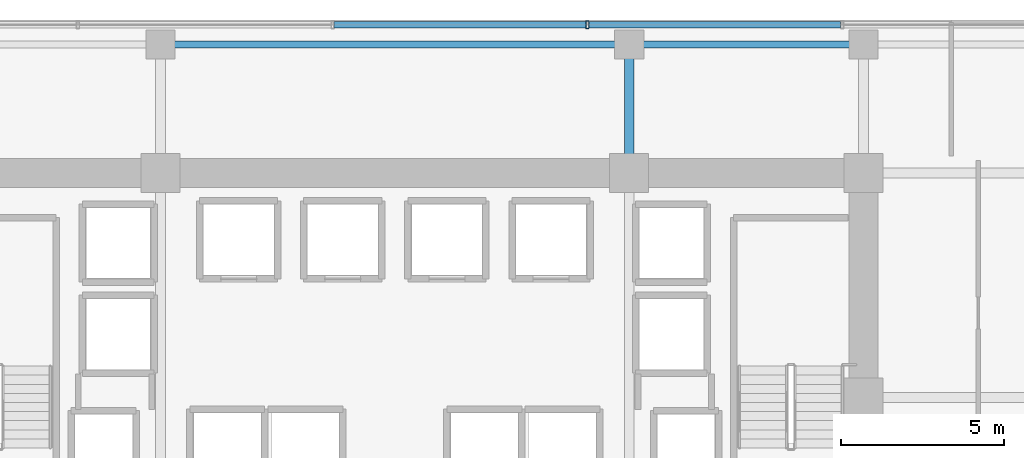
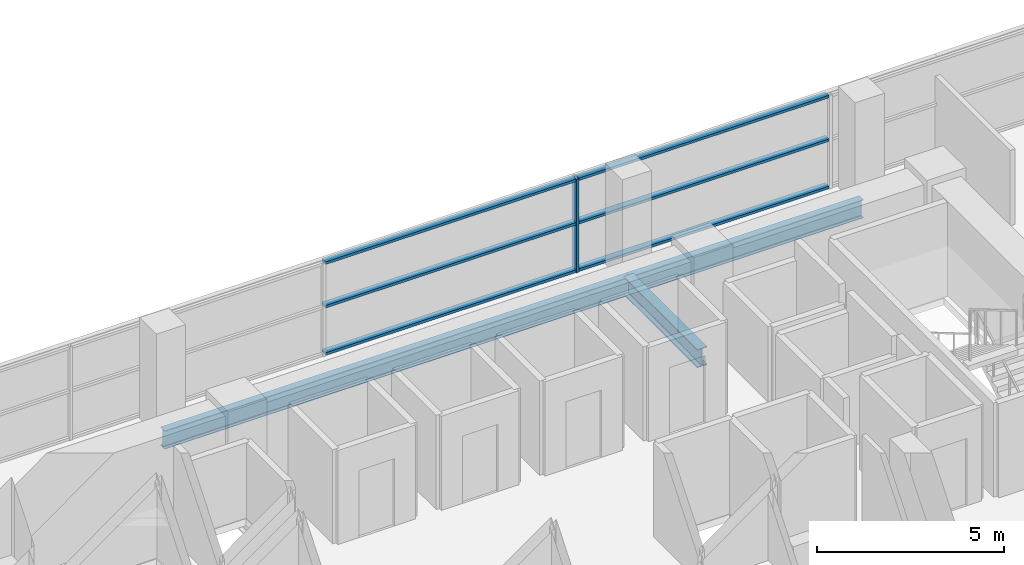
# One storey, part 15 of 26: 7 members, 3 beams, 1 element without a shape of its own.
"""IFC4 building model written with IfcOpenShell, lengths in metres."""

from ifc_helpers import new_model, si_unit, direction, frame, origin, origin_2d, place, context, subcontext, project, spatial, hollow_rectangle, i_section, extrude, source, transform, mapped, material, layer, layer_set, material_profile, profile_set, type_object, element, aggregate, save


model = new_model("IFC4")

# Units and contexts
model_context = context("Model", 3, precision=1e-05, world=origin(), true_north=direction((0.0, 1.0)))
body_context = subcontext(model_context, "Body", "Model", "MODEL_VIEW")
ifc_project = project(units=[si_unit("LENGTHUNIT", "METRE"), si_unit("AREAUNIT", "SQUARE_METRE"), si_unit("VOLUMEUNIT", "CUBIC_METRE"), si_unit("PLANEANGLEUNIT", "RADIAN"), si_unit("MASSUNIT", "GRAM", prefix="KILO")], contexts=[model_context])

# Site, building, storey
site_placement = place(None, origin())
site = spatial("IfcSite", under=ifc_project, at=site_placement, CompositionType="ELEMENT")
building_placement = place(site_placement, origin())
building = spatial("IfcBuilding", under=site, at=building_placement, Name="Zarnakvel Exchange Tower", CompositionType="ELEMENT")
storey_placement = place(building_placement, frame((0.0, 0.0, 63.699951171875)))
storey = spatial("IfcBuildingStorey", under=building, at=storey_placement, Name="L17", CompositionType="ELEMENT", Elevation=63.699951171875)

# Beams
ifc_material_1 = material(Name="Steel S355", Category="steel")
ifc_material_profile_1 = material_profile(ifc_material_1, i_section(OverallWidth=0.300048828125, OverallDepth=0.60009765625, WebThickness=0.015380859375, FlangeThickness=0.030029296875, FilletRadius=0.027099609375, at=origin_2d()))
ifc_profile_set_1 = profile_set([ifc_material_profile_1], Name="Steel S355")
beam_type_1 = type_object("IfcBeamType", Name="G-04", PredefinedType="BEAM", material=ifc_profile_set_1)
beam_1_placement = place(storey_placement, frame((7.199951171875, 13.5, -0.52490234375), z_axis=(0.0, 1.0, 0.0), x_axis=(-1.0, 0.0, 0.0)))
element("IfcBeam", 1, at=beam_1_placement, inside=storey, type_object=beam_type_1, Name="L17 Tower N-S Frame Beam", PredefinedType="BEAM", context=body_context, shape_type="SweptSolid", body=[
    extrude(i_section(OverallWidth=0.300048828125, OverallDepth=0.60009765625, WebThickness=0.015380859375, FlangeThickness=0.030029296875, FilletRadius=0.027099609375, at=origin_2d()), origin(), (0.0, 0.0, 1.0), 3.949951171875),
])
ifc_material_profile_2 = material_profile(ifc_material_1, i_section(OverallWidth=0.219970703125, OverallDepth=0.60009765625, WebThickness=0.011962890625, FlangeThickness=0.01904296875, FilletRadius=0.02392578125, at=origin_2d()))
ifc_profile_set_2 = profile_set([ifc_material_profile_2], Name="Steel S355")
beam_type_2 = type_object("IfcBeamType", Name="SP-01", PredefinedType="SPANDREL", material=ifc_profile_set_2)
beam_2_placement = place(storey_placement, frame((-7.199951171875, 17.449951171875, -0.52490234375), z_axis=(1.0, 0.0, 0.0), x_axis=(0.0, 1.0, 0.0)))
element("IfcBeam", 2, at=beam_2_placement, inside=storey, type_object=beam_type_2, Name="L17 Tower E-W Frame Beam", PredefinedType="SPANDREL", context=body_context, shape_type="SweptSolid", body=[
    extrude(i_section(OverallWidth=0.219970703125, OverallDepth=0.60009765625, WebThickness=0.011962890625, FlangeThickness=0.01904296875, FilletRadius=0.02392578125, at=origin_2d()), origin(), (0.0, 0.0, 1.0), 14.39990234375),
])
beam_3_placement = place(storey_placement, frame((7.199951171875, 17.449951171875, -0.52490234375), z_axis=(1.0, 0.0, 0.0), x_axis=(0.0, 1.0, 0.0)))
element("IfcBeam", 3, at=beam_3_placement, inside=storey, type_object=beam_type_2, Name="L17 Tower E-W Frame Beam", PredefinedType="SPANDREL", context=body_context, shape_type="SweptSolid", body=[
    extrude(i_section(OverallWidth=0.219970703125, OverallDepth=0.60009765625, WebThickness=0.011962890625, FlangeThickness=0.01904296875, FilletRadius=0.02392578125, at=origin_2d()), origin(), (0.0, 0.0, 1.0), 7.199951171875),
])

# Curtain wall, members
ifc_material_2 = material(Name="Architectural Bronze Anodised Aluminium", Category="aluminium")
ifc_layer = layer(ifc_material_2, 0.239990234375)
ifc_layer_set = layer_set([ifc_layer], Name="Architectural Bronze Anodised Aluminium")
curtain_wall_type = type_object("IfcCurtainWallType", Name="CW-02", PredefinedType="NOTDEFINED", material=ifc_layer_set)
curtain_wall_placement = place(storey_placement, origin())
curtain_wall = element("IfcCurtainWall", 4, at=curtain_wall_placement, inside=storey, type_object=curtain_wall_type, Name="L17 Curtain Wall CW-L17-N1 (CW-02)", PredefinedType="NOTDEFINED")
ifc_material_profile_3 = material_profile(ifc_material_2, hollow_rectangle(XDim=0.199951171875, YDim=0.0849609375, WallThickness=0.0048828125, at=origin_2d()))
ifc_profile_set_3 = profile_set([ifc_material_profile_3], Name="Architectural Bronze Anodised Aluminium")
member_type_1 = type_object("IfcMemberType", Name="CWT-02", PredefinedType="USERDEFINED", material=ifc_profile_set_3)
shared_shape_1 = source(origin(), body_context, "Body", "SweptSolid", [
    extrude(hollow_rectangle(XDim=0.199951171875, YDim=0.0849609375, WallThickness=0.0048828125, at=origin_2d()), origin(), (0.0, 0.0, 1.0), 7.738525390625),
])
member_1_placement = place(storey_placement, frame((5.959228515625, 18.06005859375, 0.04248046875), z_axis=(1.0, 0.0, 0.0), x_axis=(0.0, 1.0, 0.0)))
member_1 = element("IfcMember", 5, at=member_1_placement, type_object=member_type_1, Name="CW-02 transom 5.1", ObjectType="TRANSOM", PredefinedType="USERDEFINED", context=body_context, shape_type="MappedRepresentation", body=[
    mapped(shared_shape_1, transform((0.0, 0.0, 0.0), x_axis=(1.0, 0.0, 0.0), y_axis=(0.0, 1.0, 0.0), z_axis=(0.0, 0.0, 1.0), scale=1.0)),
])
member_2_placement = place(storey_placement, frame((5.959228515625, 18.06005859375, 1.588623046875), z_axis=(1.0, 0.0, 0.0), x_axis=(0.0, 1.0, 0.0)))
member_2 = element("IfcMember", 6, at=member_2_placement, type_object=member_type_1, Name="CW-02 transom 5.2", ObjectType="TRANSOM", PredefinedType="USERDEFINED", context=body_context, shape_type="MappedRepresentation", body=[
    mapped(shared_shape_1, transform((0.0, 0.0, 0.0), x_axis=(1.0, 0.0, 0.0), y_axis=(0.0, 1.0, 0.0), z_axis=(0.0, 0.0, 1.0), scale=1.0)),
])
member_3_placement = place(storey_placement, frame((5.959228515625, 18.06005859375, 3.012451171875), z_axis=(1.0, 0.0, 0.0), x_axis=(0.0, 1.0, 0.0)))
member_3 = element("IfcMember", 7, at=member_3_placement, type_object=member_type_1, Name="CW-02 transom 5.3", ObjectType="TRANSOM", PredefinedType="USERDEFINED", context=body_context, shape_type="MappedRepresentation", body=[
    mapped(shared_shape_1, transform((0.0, 0.0, 0.0), x_axis=(1.0, 0.0, 0.0), y_axis=(0.0, 1.0, 0.0), z_axis=(0.0, 0.0, 1.0), scale=1.0)),
])
shared_shape_2 = source(origin(), body_context, "Body", "SweptSolid", [
    extrude(hollow_rectangle(XDim=0.199951171875, YDim=0.0849609375, WallThickness=0.0048828125, at=origin_2d()), origin(), (0.0, 0.0, 1.0), 7.73876953125),
])
member_4_placement = place(storey_placement, frame((-1.869384765625, 18.06005859375, 0.04248046875), z_axis=(1.0, 0.0, 0.0), x_axis=(0.0, 1.0, 0.0)))
member_4 = element("IfcMember", 8, at=member_4_placement, type_object=member_type_1, Name="CW-02 transom 4.1", ObjectType="TRANSOM", PredefinedType="USERDEFINED", context=body_context, shape_type="MappedRepresentation", body=[
    mapped(shared_shape_2, transform((0.0, 0.0, 0.0), x_axis=(1.0, 0.0, 0.0), y_axis=(0.0, 1.0, 0.0), z_axis=(0.0, 0.0, 1.0), scale=1.0)),
])
member_5_placement = place(storey_placement, frame((-1.869384765625, 18.06005859375, 1.588623046875), z_axis=(1.0, 0.0, 0.0), x_axis=(0.0, 1.0, 0.0)))
member_5 = element("IfcMember", 9, at=member_5_placement, type_object=member_type_1, Name="CW-02 transom 4.2", ObjectType="TRANSOM", PredefinedType="USERDEFINED", context=body_context, shape_type="MappedRepresentation", body=[
    mapped(shared_shape_2, transform((0.0, 0.0, 0.0), x_axis=(1.0, 0.0, 0.0), y_axis=(0.0, 1.0, 0.0), z_axis=(0.0, 0.0, 1.0), scale=1.0)),
])
member_6_placement = place(storey_placement, frame((-1.869384765625, 18.06005859375, 3.012451171875), z_axis=(1.0, 0.0, 0.0), x_axis=(0.0, 1.0, 0.0)))
member_6 = element("IfcMember", 10, at=member_6_placement, type_object=member_type_1, Name="CW-02 transom 4.3", ObjectType="TRANSOM", PredefinedType="USERDEFINED", context=body_context, shape_type="MappedRepresentation", body=[
    mapped(shared_shape_2, transform((0.0, 0.0, 0.0), x_axis=(1.0, 0.0, 0.0), y_axis=(0.0, 1.0, 0.0), z_axis=(0.0, 0.0, 1.0), scale=1.0)),
])
ifc_material_profile_4 = material_profile(ifc_material_2, hollow_rectangle(XDim=0.239990234375, YDim=0.090087890625, WallThickness=0.006103515625, at=origin_2d()))
ifc_profile_set_4 = profile_set([ifc_material_profile_4], Name="Architectural Bronze Anodised Aluminium")
member_type_2 = type_object("IfcMemberType", Name="CWM-02", PredefinedType="MULLION", material=ifc_profile_set_4)
shared_shape_3 = source(origin(), body_context, "Body", "SweptSolid", [
    extrude(hollow_rectangle(XDim=0.239990234375, YDim=0.090087890625, WallThickness=0.006103515625, at=origin_2d()), origin(), (0.0, 0.0, 1.0), 3.054931640625),
])
member_7_placement = place(storey_placement, frame((5.914306640625, 18.06005859375, 0.0), z_axis=(0.0, 0.0, 1.0), x_axis=(0.0, 1.0, 0.0)))
member_7 = element("IfcMember", 11, at=member_7_placement, type_object=member_type_2, Name="CW-02 mullion 5", PredefinedType="MULLION", context=body_context, shape_type="MappedRepresentation", body=[
    mapped(shared_shape_3, transform((0.0, 0.0, 0.0), x_axis=(1.0, 0.0, 0.0), y_axis=(0.0, 1.0, 0.0), z_axis=(0.0, 0.0, 1.0), scale=1.0)),
])
aggregate(curtain_wall, [member_7, member_4, member_5, member_6, member_1, member_2, member_3])

save(model, "model.ifc")
